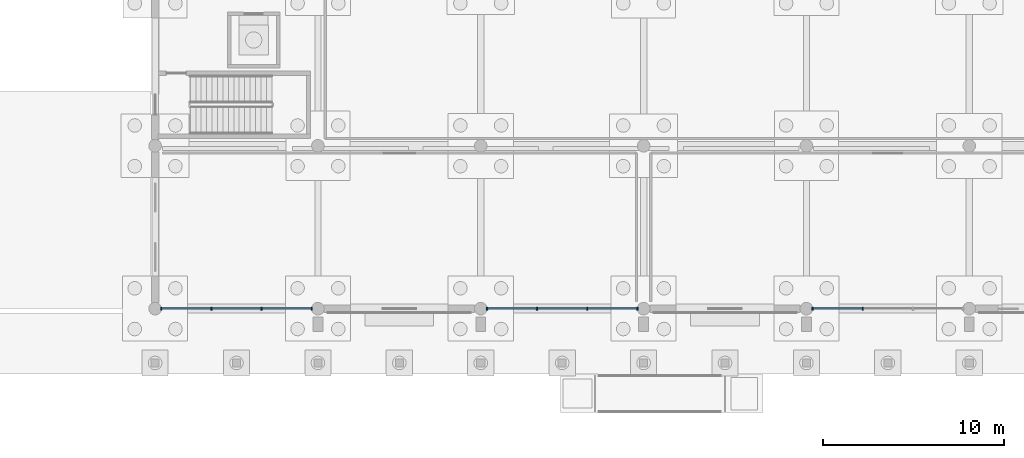
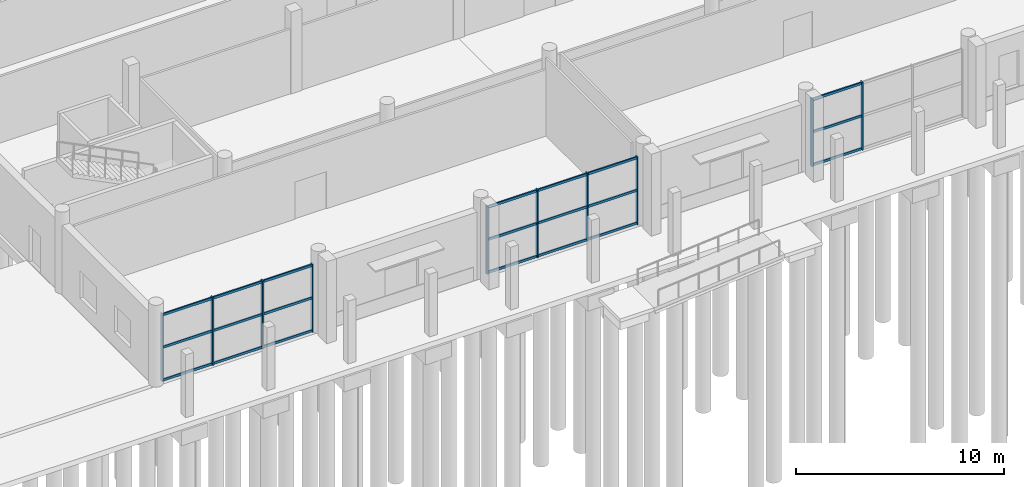
# One storey, part 54 of 112: 31 members, 3 elements without a shape of their own.
"""IFC4 building model written with IfcOpenShell, lengths in metres."""

from ifc_helpers import new_model, si_unit, direction, frame, origin, origin_2d, place, context, subcontext, project, spatial, rectangle, extrude, material, material_profile, profile_set, type_object, element, aggregate, save


model = new_model("IFC4")

# Units and contexts
model_context = context("Model", 3, precision=1e-05, world=origin(), true_north=direction((0.0, 1.0)))
body_context = subcontext(model_context, "Body", "Model", "MODEL_VIEW")
ifc_project = project(units=[si_unit("LENGTHUNIT", "METRE"), si_unit("AREAUNIT", "SQUARE_METRE"), si_unit("VOLUMEUNIT", "CUBIC_METRE"), si_unit("PLANEANGLEUNIT", "RADIAN"), si_unit("MASSUNIT", "GRAM", prefix="KILO")], contexts=[model_context])

# Site, building, storey
site_placement = place(None, origin())
site = spatial("IfcSite", under=ifc_project, at=site_placement, CompositionType="ELEMENT")
building_placement = place(site_placement, origin())
building = spatial("IfcBuilding", under=site, at=building_placement, Name="Tharagai Park Tramway Depot", CompositionType="ELEMENT")
storey_placement = place(building_placement, origin())
storey = spatial("IfcBuildingStorey", under=building, at=storey_placement, Name="L00", CompositionType="ELEMENT", Elevation=0.0)

# Curtain wall, members
ifc_material = material(Name="Anodised aluminium", Category="aluminium")
curtain_wall_type = type_object("IfcCurtainWallType", Name="CW-05", PredefinedType="NOTDEFINED", material=ifc_material)
curtain_wall_1_placement = place(storey_placement, origin())
curtain_wall_1 = element("IfcCurtainWall", 1, at=curtain_wall_1_placement, inside=storey, type_object=curtain_wall_type, Name="L00 V5 Gothic Mullioned Curtain Wall CW-05", PredefinedType="NOTDEFINED")
ifc_material_profile_1 = material_profile(ifc_material, rectangle(XDim=0.074951171875, YDim=0.175048828125, at=origin_2d()), Name="ALU 75x175")
ifc_profile_set_1 = profile_set([ifc_material_profile_1], Name="Anodised aluminium")
member_type_1 = type_object("IfcMemberType", Name="CM-02", PredefinedType="MULLION", material=ifc_profile_set_1)
member_1_placement = place(storey_placement, frame((135.340087890625, 0.0, -0.0048828125), z_axis=(0.0, 0.0, 1.0), x_axis=(1.0, 0.0, 0.0)))
member_1 = element("IfcMember", 2, at=member_1_placement, type_object=member_type_1, Name="L00 V5 Gothic Mullioned Curtain Wall Mullion 1", PredefinedType="MULLION", context=body_context, shape_type="SweptSolid", body=[
    extrude(rectangle(XDim=0.074951171875, YDim=0.175048828125, at=origin_2d()), origin(), (0.0, 0.0, 1.0), 3.97998046875),
])
member_2_placement = place(storey_placement, frame((138.11328125, 0.0, -0.0048828125), z_axis=(0.0, 0.0, 1.0), x_axis=(1.0, 0.0, 0.0)))
member_2 = element("IfcMember", 3, at=member_2_placement, type_object=member_type_1, Name="L00 V5 Gothic Mullioned Curtain Wall Mullion 2", PredefinedType="MULLION", context=body_context, shape_type="SweptSolid", body=[
    extrude(rectangle(XDim=0.074951171875, YDim=0.175048828125, at=origin_2d()), origin(), (0.0, 0.0, 1.0), 3.97998046875),
])
member_3_placement = place(storey_placement, frame((140.88671875, 0.0, -0.0048828125), z_axis=(0.0, 0.0, 1.0), x_axis=(1.0, 0.0, 0.0)))
member_3 = element("IfcMember", 4, at=member_3_placement, type_object=member_type_1, Name="L00 V5 Gothic Mullioned Curtain Wall Mullion 3", PredefinedType="MULLION", context=body_context, shape_type="SweptSolid", body=[
    extrude(rectangle(XDim=0.074951171875, YDim=0.175048828125, at=origin_2d()), origin(), (0.0, 0.0, 1.0), 3.97998046875),
])
member_4_placement = place(storey_placement, frame((143.659912109375, 0.0, -0.0048828125), z_axis=(0.0, 0.0, 1.0), x_axis=(1.0, 0.0, 0.0)))
member_4 = element("IfcMember", 5, at=member_4_placement, type_object=member_type_1, Name="L00 V5 Gothic Mullioned Curtain Wall Mullion 4", PredefinedType="MULLION", context=body_context, shape_type="SweptSolid", body=[
    extrude(rectangle(XDim=0.074951171875, YDim=0.175048828125, at=origin_2d()), origin(), (0.0, 0.0, 1.0), 3.97998046875),
])

curtain_wall_2_placement = place(storey_placement, origin())
curtain_wall_2 = element("IfcCurtainWall", 6, at=curtain_wall_2_placement, inside=storey, type_object=curtain_wall_type, Name="L00 V5 Gothic Mullioned Curtain Wall CW-05", PredefinedType="NOTDEFINED")
member_5_placement = place(storey_placement, frame((153.340087890625, 0.0, -0.0048828125), z_axis=(0.0, 0.0, 1.0), x_axis=(1.0, 0.0, 0.0)))
member_5 = element("IfcMember", 7, at=member_5_placement, type_object=member_type_1, Name="L00 V5 Gothic Mullioned Curtain Wall Mullion 1", PredefinedType="MULLION", context=body_context, shape_type="SweptSolid", body=[
    extrude(rectangle(XDim=0.074951171875, YDim=0.175048828125, at=origin_2d()), origin(), (0.0, 0.0, 1.0), 3.97998046875),
])
member_6_placement = place(storey_placement, frame((156.11328125, 0.0, -0.0048828125), z_axis=(0.0, 0.0, 1.0), x_axis=(1.0, 0.0, 0.0)))
member_6 = element("IfcMember", 8, at=member_6_placement, type_object=member_type_1, Name="L00 V5 Gothic Mullioned Curtain Wall Mullion 2", PredefinedType="MULLION", context=body_context, shape_type="SweptSolid", body=[
    extrude(rectangle(XDim=0.074951171875, YDim=0.175048828125, at=origin_2d()), origin(), (0.0, 0.0, 1.0), 3.97998046875),
])
member_7_placement = place(storey_placement, frame((158.88671875, 0.0, -0.0048828125), z_axis=(0.0, 0.0, 1.0), x_axis=(1.0, 0.0, 0.0)))
member_7 = element("IfcMember", 9, at=member_7_placement, type_object=member_type_1, Name="L00 V5 Gothic Mullioned Curtain Wall Mullion 3", PredefinedType="MULLION", context=body_context, shape_type="SweptSolid", body=[
    extrude(rectangle(XDim=0.074951171875, YDim=0.175048828125, at=origin_2d()), origin(), (0.0, 0.0, 1.0), 3.97998046875),
])
member_8_placement = place(storey_placement, frame((161.659912109375, 0.0, -0.0048828125), z_axis=(0.0, 0.0, 1.0), x_axis=(1.0, 0.0, 0.0)))
member_8 = element("IfcMember", 10, at=member_8_placement, type_object=member_type_1, Name="L00 V5 Gothic Mullioned Curtain Wall Mullion 4", PredefinedType="MULLION", context=body_context, shape_type="SweptSolid", body=[
    extrude(rectangle(XDim=0.074951171875, YDim=0.175048828125, at=origin_2d()), origin(), (0.0, 0.0, 1.0), 3.97998046875),
])

curtain_wall_3_placement = place(storey_placement, origin())
curtain_wall_3 = element("IfcCurtainWall", 11, at=curtain_wall_3_placement, inside=storey, type_object=curtain_wall_type, Name="L00 V5 Gothic Mullioned Curtain Wall CW-05", PredefinedType="NOTDEFINED")
member_9_placement = place(storey_placement, frame((171.340087890625, 0.0, -0.0048828125), z_axis=(0.0, 0.0, 1.0), x_axis=(1.0, 0.0, 0.0)))
member_9 = element("IfcMember", 12, at=member_9_placement, type_object=member_type_1, Name="L00 V5 Gothic Mullioned Curtain Wall Mullion 1", PredefinedType="MULLION", context=body_context, shape_type="SweptSolid", body=[
    extrude(rectangle(XDim=0.074951171875, YDim=0.175048828125, at=origin_2d()), origin(), (0.0, 0.0, 1.0), 3.97998046875),
])
member_10_placement = place(storey_placement, frame((174.11328125, 0.0, -0.0048828125), z_axis=(0.0, 0.0, 1.0), x_axis=(1.0, 0.0, 0.0)))
member_10 = element("IfcMember", 13, at=member_10_placement, type_object=member_type_1, Name="L00 V5 Gothic Mullioned Curtain Wall Mullion 2", PredefinedType="MULLION", context=body_context, shape_type="SweptSolid", body=[
    extrude(rectangle(XDim=0.074951171875, YDim=0.175048828125, at=origin_2d()), origin(), (0.0, 0.0, 1.0), 3.97998046875),
])

# Member
ifc_material_profile_2 = material_profile(ifc_material, rectangle(XDim=0.074951171875, YDim=0.139892578125, at=origin_2d()), Name="ALU 75x140")
ifc_profile_set_2 = profile_set([ifc_material_profile_2], Name="Anodised aluminium")
member_type_2 = type_object("IfcMemberType", Name="CM-04", PredefinedType="USERDEFINED", material=ifc_profile_set_2)
member_11_placement = place(storey_placement, frame((135.35498046875, 0.0, 0.06005859375), z_axis=(1.0, 0.0, 0.0), x_axis=(0.0, 1.0, 0.0)))
member_11 = element("IfcMember", 14, at=member_11_placement, type_object=member_type_2, Name="L00 V5 Gothic Mullioned Curtain Wall Transom 1.1", ObjectType="TRANSOM", PredefinedType="USERDEFINED", context=body_context, shape_type="SweptSolid", body=[
    extrude(rectangle(XDim=0.074951171875, YDim=0.139892578125, at=origin_2d()), origin(), (0.0, 0.0, 1.0), 2.743408203125),
])

member_12_placement = place(storey_placement, frame((135.35498046875, 0.0, 1.985107421875), z_axis=(1.0, 0.0, 0.0), x_axis=(0.0, 1.0, 0.0)))
member_12 = element("IfcMember", 15, at=member_12_placement, type_object=member_type_2, Name="L00 V5 Gothic Mullioned Curtain Wall Transom 1.2", ObjectType="TRANSOM", PredefinedType="USERDEFINED", context=body_context, shape_type="SweptSolid", body=[
    extrude(rectangle(XDim=0.074951171875, YDim=0.139892578125, at=origin_2d()), origin(), (0.0, 0.0, 1.0), 2.743408203125),
])

member_13_placement = place(storey_placement, frame((135.35498046875, 0.0, 3.889892578125), z_axis=(1.0, 0.0, 0.0), x_axis=(0.0, 1.0, 0.0)))
member_13 = element("IfcMember", 16, at=member_13_placement, type_object=member_type_2, Name="L00 V5 Gothic Mullioned Curtain Wall Transom 1.3", ObjectType="TRANSOM", PredefinedType="USERDEFINED", context=body_context, shape_type="SweptSolid", body=[
    extrude(rectangle(XDim=0.074951171875, YDim=0.139892578125, at=origin_2d()), origin(), (0.0, 0.0, 1.0), 2.743408203125),
])

member_14_placement = place(storey_placement, frame((138.12841796875, 0.0, 0.06005859375), z_axis=(1.0, 0.0, 0.0), x_axis=(0.0, 1.0, 0.0)))
member_14 = element("IfcMember", 17, at=member_14_placement, type_object=member_type_2, Name="L00 V5 Gothic Mullioned Curtain Wall Transom 2.1", ObjectType="TRANSOM", PredefinedType="USERDEFINED", context=body_context, shape_type="SweptSolid", body=[
    extrude(rectangle(XDim=0.074951171875, YDim=0.139892578125, at=origin_2d()), origin(), (0.0, 0.0, 1.0), 2.7431640625),
])

member_15_placement = place(storey_placement, frame((138.12841796875, 0.0, 1.985107421875), z_axis=(1.0, 0.0, 0.0), x_axis=(0.0, 1.0, 0.0)))
member_15 = element("IfcMember", 18, at=member_15_placement, type_object=member_type_2, Name="L00 V5 Gothic Mullioned Curtain Wall Transom 2.2", ObjectType="TRANSOM", PredefinedType="USERDEFINED", context=body_context, shape_type="SweptSolid", body=[
    extrude(rectangle(XDim=0.074951171875, YDim=0.139892578125, at=origin_2d()), origin(), (0.0, 0.0, 1.0), 2.7431640625),
])

member_16_placement = place(storey_placement, frame((138.12841796875, 0.0, 3.889892578125), z_axis=(1.0, 0.0, 0.0), x_axis=(0.0, 1.0, 0.0)))
member_16 = element("IfcMember", 19, at=member_16_placement, type_object=member_type_2, Name="L00 V5 Gothic Mullioned Curtain Wall Transom 2.3", ObjectType="TRANSOM", PredefinedType="USERDEFINED", context=body_context, shape_type="SweptSolid", body=[
    extrude(rectangle(XDim=0.074951171875, YDim=0.139892578125, at=origin_2d()), origin(), (0.0, 0.0, 1.0), 2.7431640625),
])

member_17_placement = place(storey_placement, frame((140.901611328125, 0.0, 0.06005859375), z_axis=(1.0, 0.0, 0.0), x_axis=(0.0, 1.0, 0.0)))
member_17 = element("IfcMember", 20, at=member_17_placement, type_object=member_type_2, Name="L00 V5 Gothic Mullioned Curtain Wall Transom 3.1", ObjectType="TRANSOM", PredefinedType="USERDEFINED", context=body_context, shape_type="SweptSolid", body=[
    extrude(rectangle(XDim=0.074951171875, YDim=0.139892578125, at=origin_2d()), origin(), (0.0, 0.0, 1.0), 2.743408203125),
])

member_18_placement = place(storey_placement, frame((140.901611328125, 0.0, 1.985107421875), z_axis=(1.0, 0.0, 0.0), x_axis=(0.0, 1.0, 0.0)))
member_18 = element("IfcMember", 21, at=member_18_placement, type_object=member_type_2, Name="L00 V5 Gothic Mullioned Curtain Wall Transom 3.2", ObjectType="TRANSOM", PredefinedType="USERDEFINED", context=body_context, shape_type="SweptSolid", body=[
    extrude(rectangle(XDim=0.074951171875, YDim=0.139892578125, at=origin_2d()), origin(), (0.0, 0.0, 1.0), 2.743408203125),
])

member_19_placement = place(storey_placement, frame((140.901611328125, 0.0, 3.889892578125), z_axis=(1.0, 0.0, 0.0), x_axis=(0.0, 1.0, 0.0)))
member_19 = element("IfcMember", 22, at=member_19_placement, type_object=member_type_2, Name="L00 V5 Gothic Mullioned Curtain Wall Transom 3.3", ObjectType="TRANSOM", PredefinedType="USERDEFINED", context=body_context, shape_type="SweptSolid", body=[
    extrude(rectangle(XDim=0.074951171875, YDim=0.139892578125, at=origin_2d()), origin(), (0.0, 0.0, 1.0), 2.743408203125),
])

aggregate(curtain_wall_1, [member_1, member_2, member_3, member_4, member_11, member_12, member_13, member_14, member_15, member_16, member_17, member_18, member_19])

member_20_placement = place(storey_placement, frame((153.35498046875, 0.0, 0.06005859375), z_axis=(1.0, 0.0, 0.0), x_axis=(0.0, 1.0, 0.0)))
member_20 = element("IfcMember", 23, at=member_20_placement, type_object=member_type_2, Name="L00 V5 Gothic Mullioned Curtain Wall Transom 1.1", ObjectType="TRANSOM", PredefinedType="USERDEFINED", context=body_context, shape_type="SweptSolid", body=[
    extrude(rectangle(XDim=0.074951171875, YDim=0.139892578125, at=origin_2d()), origin(), (0.0, 0.0, 1.0), 2.743408203125),
])

member_21_placement = place(storey_placement, frame((153.35498046875, 0.0, 1.985107421875), z_axis=(1.0, 0.0, 0.0), x_axis=(0.0, 1.0, 0.0)))
member_21 = element("IfcMember", 24, at=member_21_placement, type_object=member_type_2, Name="L00 V5 Gothic Mullioned Curtain Wall Transom 1.2", ObjectType="TRANSOM", PredefinedType="USERDEFINED", context=body_context, shape_type="SweptSolid", body=[
    extrude(rectangle(XDim=0.074951171875, YDim=0.139892578125, at=origin_2d()), origin(), (0.0, 0.0, 1.0), 2.743408203125),
])

member_22_placement = place(storey_placement, frame((153.35498046875, 0.0, 3.889892578125), z_axis=(1.0, 0.0, 0.0), x_axis=(0.0, 1.0, 0.0)))
member_22 = element("IfcMember", 25, at=member_22_placement, type_object=member_type_2, Name="L00 V5 Gothic Mullioned Curtain Wall Transom 1.3", ObjectType="TRANSOM", PredefinedType="USERDEFINED", context=body_context, shape_type="SweptSolid", body=[
    extrude(rectangle(XDim=0.074951171875, YDim=0.139892578125, at=origin_2d()), origin(), (0.0, 0.0, 1.0), 2.743408203125),
])

member_23_placement = place(storey_placement, frame((156.12841796875, 0.0, 0.06005859375), z_axis=(1.0, 0.0, 0.0), x_axis=(0.0, 1.0, 0.0)))
member_23 = element("IfcMember", 26, at=member_23_placement, type_object=member_type_2, Name="L00 V5 Gothic Mullioned Curtain Wall Transom 2.1", ObjectType="TRANSOM", PredefinedType="USERDEFINED", context=body_context, shape_type="SweptSolid", body=[
    extrude(rectangle(XDim=0.074951171875, YDim=0.139892578125, at=origin_2d()), origin(), (0.0, 0.0, 1.0), 2.7431640625),
])

member_24_placement = place(storey_placement, frame((156.12841796875, 0.0, 1.985107421875), z_axis=(1.0, 0.0, 0.0), x_axis=(0.0, 1.0, 0.0)))
member_24 = element("IfcMember", 27, at=member_24_placement, type_object=member_type_2, Name="L00 V5 Gothic Mullioned Curtain Wall Transom 2.2", ObjectType="TRANSOM", PredefinedType="USERDEFINED", context=body_context, shape_type="SweptSolid", body=[
    extrude(rectangle(XDim=0.074951171875, YDim=0.139892578125, at=origin_2d()), origin(), (0.0, 0.0, 1.0), 2.7431640625),
])

member_25_placement = place(storey_placement, frame((156.12841796875, 0.0, 3.889892578125), z_axis=(1.0, 0.0, 0.0), x_axis=(0.0, 1.0, 0.0)))
member_25 = element("IfcMember", 28, at=member_25_placement, type_object=member_type_2, Name="L00 V5 Gothic Mullioned Curtain Wall Transom 2.3", ObjectType="TRANSOM", PredefinedType="USERDEFINED", context=body_context, shape_type="SweptSolid", body=[
    extrude(rectangle(XDim=0.074951171875, YDim=0.139892578125, at=origin_2d()), origin(), (0.0, 0.0, 1.0), 2.7431640625),
])

member_26_placement = place(storey_placement, frame((158.901611328125, 0.0, 0.06005859375), z_axis=(1.0, 0.0, 0.0), x_axis=(0.0, 1.0, 0.0)))
member_26 = element("IfcMember", 29, at=member_26_placement, type_object=member_type_2, Name="L00 V5 Gothic Mullioned Curtain Wall Transom 3.1", ObjectType="TRANSOM", PredefinedType="USERDEFINED", context=body_context, shape_type="SweptSolid", body=[
    extrude(rectangle(XDim=0.074951171875, YDim=0.139892578125, at=origin_2d()), origin(), (0.0, 0.0, 1.0), 2.743408203125),
])

member_27_placement = place(storey_placement, frame((158.901611328125, 0.0, 1.985107421875), z_axis=(1.0, 0.0, 0.0), x_axis=(0.0, 1.0, 0.0)))
member_27 = element("IfcMember", 30, at=member_27_placement, type_object=member_type_2, Name="L00 V5 Gothic Mullioned Curtain Wall Transom 3.2", ObjectType="TRANSOM", PredefinedType="USERDEFINED", context=body_context, shape_type="SweptSolid", body=[
    extrude(rectangle(XDim=0.074951171875, YDim=0.139892578125, at=origin_2d()), origin(), (0.0, 0.0, 1.0), 2.743408203125),
])

member_28_placement = place(storey_placement, frame((158.901611328125, 0.0, 3.889892578125), z_axis=(1.0, 0.0, 0.0), x_axis=(0.0, 1.0, 0.0)))
member_28 = element("IfcMember", 31, at=member_28_placement, type_object=member_type_2, Name="L00 V5 Gothic Mullioned Curtain Wall Transom 3.3", ObjectType="TRANSOM", PredefinedType="USERDEFINED", context=body_context, shape_type="SweptSolid", body=[
    extrude(rectangle(XDim=0.074951171875, YDim=0.139892578125, at=origin_2d()), origin(), (0.0, 0.0, 1.0), 2.743408203125),
])

aggregate(curtain_wall_2, [member_5, member_6, member_7, member_8, member_20, member_21, member_22, member_23, member_24, member_25, member_26, member_27, member_28])

member_29_placement = place(storey_placement, frame((171.35498046875, 0.0, 0.06005859375), z_axis=(1.0, 0.0, 0.0), x_axis=(0.0, 1.0, 0.0)))
member_29 = element("IfcMember", 32, at=member_29_placement, type_object=member_type_2, Name="L00 V5 Gothic Mullioned Curtain Wall Transom 1.1", ObjectType="TRANSOM", PredefinedType="USERDEFINED", context=body_context, shape_type="SweptSolid", body=[
    extrude(rectangle(XDim=0.074951171875, YDim=0.139892578125, at=origin_2d()), origin(), (0.0, 0.0, 1.0), 2.743408203125),
])

member_30_placement = place(storey_placement, frame((171.35498046875, 0.0, 1.985107421875), z_axis=(1.0, 0.0, 0.0), x_axis=(0.0, 1.0, 0.0)))
member_30 = element("IfcMember", 33, at=member_30_placement, type_object=member_type_2, Name="L00 V5 Gothic Mullioned Curtain Wall Transom 1.2", ObjectType="TRANSOM", PredefinedType="USERDEFINED", context=body_context, shape_type="SweptSolid", body=[
    extrude(rectangle(XDim=0.074951171875, YDim=0.139892578125, at=origin_2d()), origin(), (0.0, 0.0, 1.0), 2.743408203125),
])

member_31_placement = place(storey_placement, frame((171.35498046875, 0.0, 3.889892578125), z_axis=(1.0, 0.0, 0.0), x_axis=(0.0, 1.0, 0.0)))
member_31 = element("IfcMember", 34, at=member_31_placement, type_object=member_type_2, Name="L00 V5 Gothic Mullioned Curtain Wall Transom 1.3", ObjectType="TRANSOM", PredefinedType="USERDEFINED", context=body_context, shape_type="SweptSolid", body=[
    extrude(rectangle(XDim=0.074951171875, YDim=0.139892578125, at=origin_2d()), origin(), (0.0, 0.0, 1.0), 2.743408203125),
])

aggregate(curtain_wall_3, [member_9, member_10, member_29, member_30, member_31])

save(model, "model.ifc")
